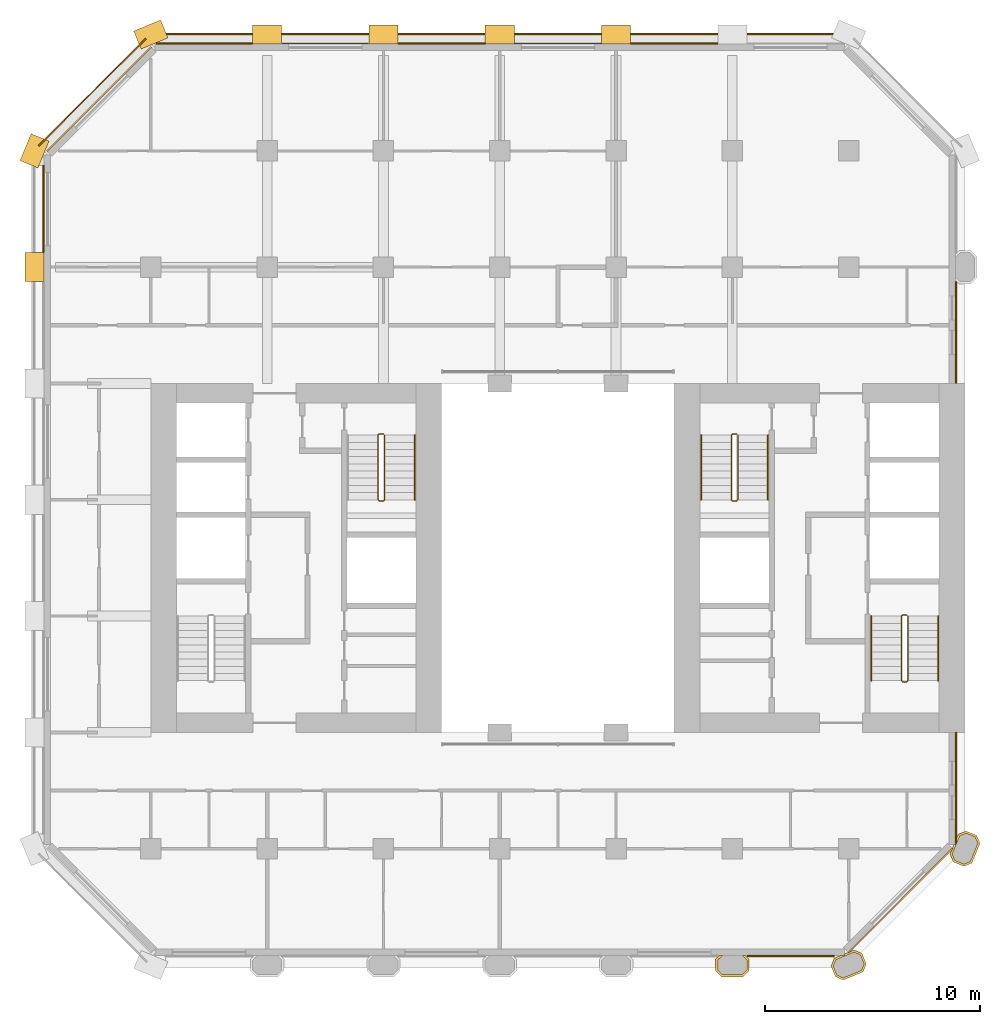
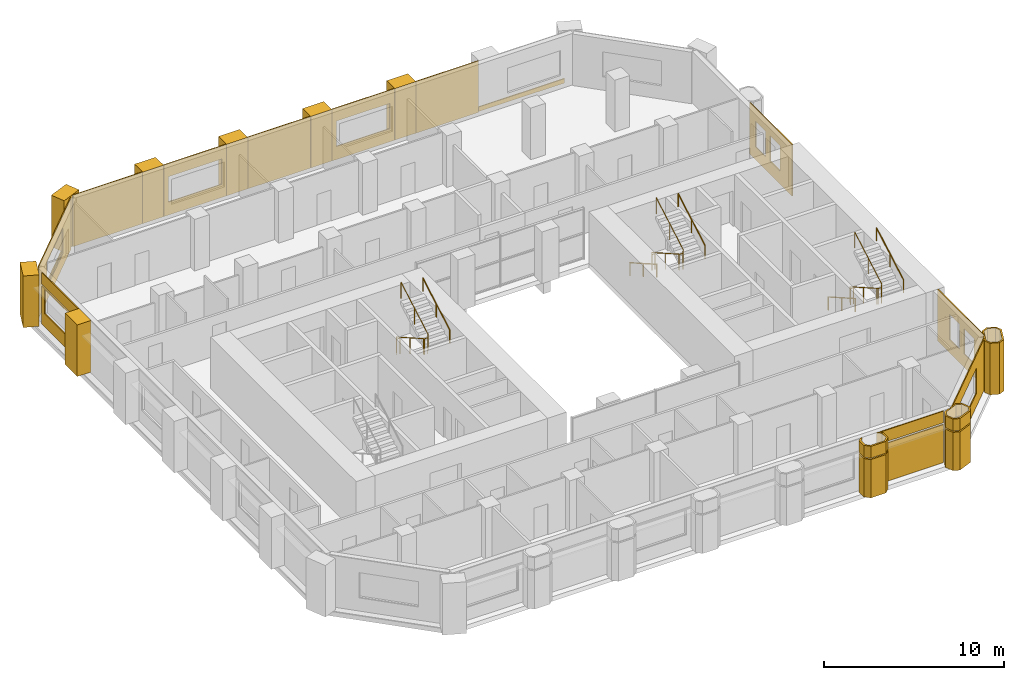
# One storey, part 12 of 13: 27 coverings, 8 railings.
"""IFC4 building model written with IfcOpenShell, lengths in metres."""

from ifc_helpers import new_model, si_unit, direction, frame, frame_2d, origin, origin_2d, place, context, subcontext, project, spatial, polyline, rectangle, circle, outline, extrude, material, layer, layer_set, type_object, element, save


model = new_model("IFC4")

# Units and contexts
model_context = context("Model", 3, precision=1e-05, world=origin(), true_north=direction((0.0, 1.0)))
body_context = subcontext(model_context, "Body", "Model", "MODEL_VIEW")
ifc_project = project(units=[si_unit("LENGTHUNIT", "METRE"), si_unit("AREAUNIT", "SQUARE_METRE"), si_unit("VOLUMEUNIT", "CUBIC_METRE"), si_unit("PLANEANGLEUNIT", "RADIAN"), si_unit("MASSUNIT", "GRAM", prefix="KILO")], contexts=[model_context])

# Site, building, storey
site_placement = place(None, origin())
site = spatial("IfcSite", under=ifc_project, at=site_placement, CompositionType="ELEMENT")
building_placement = place(site_placement, origin())
building = spatial("IfcBuilding", under=site, at=building_placement, Name="Tabaq Tower and Sports Hall", CompositionType="ELEMENT")
storey_placement = place(building_placement, frame((0.0, 0.0, 110.60009765625)))
storey = spatial("IfcBuildingStorey", under=building, at=storey_placement, Name="L26", CompositionType="ELEMENT", Elevation=110.60009765625)

# Coverings
ifc_material_1 = material(Name="Precast concrete C60/75", Category="concrete")
ifc_layer_1 = layer(ifc_material_1, 0.10009765625)
ifc_layer_set_1 = layer_set([ifc_layer_1], Name="Column cladding 100")
covering_type_1 = type_object("IfcCoveringType", Name="Column cladding 100", PredefinedType="CLADDING", material=ifc_layer_set_1)
covering_1_placement = place(storey_placement, origin())
element("IfcCovering", 1, at=covering_1_placement, inside=storey, type_object=covering_type_1, Name="Column cladding L26 PC-7B-O3", PredefinedType="CLADDING", context=body_context, shape_type="SweptSolid", body=[
    extrude(outline(polyline([(31.625244140625, 5.666259765625), (31.80859375, 5.849609375), (31.94921875, 5.849609375), (31.724609375, 5.625244140625), (31.724609375, 5.1748046875), (31.949951171875, 4.94970703125), (32.85009765625, 4.94970703125), (33.0751953125, 5.1748046875), (33.0751953125, 5.625244140625), (32.850830078125, 5.849609375), (32.9912109375, 5.849609375), (33.1748046875, 5.666259765625), (33.1748046875, 5.1337890625), (32.891357421875, 4.850341796875), (31.90869140625, 4.850341796875), (31.625244140625, 5.1337890625), (31.625244140625, 5.666259765625)])), origin(), (0.0, 0.0, 1.0), 2.599853515625),
])
covering_2_placement = place(storey_placement, frame((0.0, 0.0, 2.699951171875)))
element("IfcCovering", 2, at=covering_2_placement, inside=storey, type_object=covering_type_1, Name="Column cladding L26 PC-7B-O3 2", PredefinedType="CLADDING", context=body_context, shape_type="SweptSolid", body=[
    extrude(outline(polyline([(31.625244140625, 5.666259765625), (31.80859375, 5.849609375), (31.94921875, 5.849609375), (31.724609375, 5.625244140625), (31.724609375, 5.1748046875), (31.949951171875, 4.94970703125), (32.85009765625, 4.94970703125), (33.0751953125, 5.1748046875), (33.0751953125, 5.625244140625), (32.850830078125, 5.849609375), (32.9912109375, 5.849609375), (33.1748046875, 5.666259765625), (33.1748046875, 5.1337890625), (32.891357421875, 4.850341796875), (31.90869140625, 4.850341796875), (31.625244140625, 5.1337890625), (31.625244140625, 5.666259765625)])), origin(), (0.0, 0.0, 1.0), 0.800048828125),
])
covering_3_placement = place(storey_placement, origin())
element("IfcCovering", 3, at=covering_3_placement, inside=storey, type_object=covering_type_1, Name="Column cladding L26 PC-8B-O3", PredefinedType="CLADDING", context=body_context, shape_type="SweptSolid", body=[
    extrude(outline(polyline([(36.982421875, 5.349609375), (37.1357421875, 5.7197265625), (37.44921875, 5.849609375), (37.614013671875, 5.849609375), (37.614013671875, 5.91796875), (37.767578125, 5.9814453125), (37.799072265625, 5.9501953125), (37.875, 6.026123046875), (38.04345703125, 6.095947265625), (38.413818359375, 5.9423828125), (38.61767578125, 5.450439453125), (38.46435546875, 5.080078125), (37.556396484375, 4.7041015625), (37.186279296875, 4.857421875), (36.982421875, 5.349609375)]), holes=[polyline([(38.510009765625, 5.450439453125), (38.337646484375, 5.866455078125), (38.04345703125, 5.98828125), (37.2119140625, 5.643798828125), (37.08984375, 5.349609375), (37.26220703125, 4.93359375), (37.556396484375, 4.811767578125), (38.38818359375, 5.15625), (38.510009765625, 5.450439453125)])]), origin(), (0.0, 0.0, 1.0), 2.599853515625),
])
covering_4_placement = place(storey_placement, frame((0.0, 0.0, 2.699951171875)))
element("IfcCovering", 4, at=covering_4_placement, inside=storey, type_object=covering_type_1, Name="Column cladding L26 PC-8B-O3 2", PredefinedType="CLADDING", context=body_context, shape_type="SweptSolid", body=[
    extrude(outline(polyline([(36.982421875, 5.349609375), (37.1357421875, 5.7197265625), (37.44921875, 5.849609375), (37.614013671875, 5.849609375), (37.614013671875, 5.91796875), (37.767578125, 5.9814453125), (37.799072265625, 5.9501953125), (37.875, 6.026123046875), (38.04345703125, 6.095947265625), (38.413818359375, 5.9423828125), (38.61767578125, 5.450439453125), (38.46435546875, 5.080078125), (37.556396484375, 4.7041015625), (37.186279296875, 4.857421875), (36.982421875, 5.349609375)]), holes=[polyline([(38.510009765625, 5.450439453125), (38.337646484375, 5.866455078125), (38.04345703125, 5.98828125), (37.2119140625, 5.643798828125), (37.08984375, 5.349609375), (37.26220703125, 4.93359375), (37.556396484375, 4.811767578125), (38.38818359375, 5.15625), (38.510009765625, 5.450439453125)])]), origin(), (0.0, 0.0, 1.0), 0.800048828125),
])
covering_5_placement = place(storey_placement, origin())
element("IfcCovering", 5, at=covering_5_placement, inside=storey, type_object=covering_type_1, Name="Column cladding L26 PC-9C-O3", PredefinedType="CLADDING", context=body_context, shape_type="SweptSolid", body=[
    extrude(outline(polyline([(42.657470703125, 10.186279296875), (42.504150390625, 10.556396484375), (42.573974609375, 10.72509765625), (42.64990234375, 10.801025390625), (42.618408203125, 10.83251953125), (42.68212890625, 10.986083984375), (42.750244140625, 10.986083984375), (42.750244140625, 11.04296875), (42.810302734375, 11.04296875), (42.810302734375, 11.295654296875), (42.880126953125, 11.46435546875), (43.25048828125, 11.61767578125), (43.742431640625, 11.413818359375), (43.895751953125, 11.04345703125), (43.519775390625, 10.1357421875), (43.149658203125, 9.982421875), (42.657470703125, 10.186279296875)]), holes=[polyline([(43.66650390625, 11.337646484375), (43.25048828125, 11.510009765625), (42.956298828125, 11.38818359375), (42.61181640625, 10.556396484375), (42.733642578125, 10.26220703125), (43.149658203125, 10.08984375), (43.44384765625, 10.2119140625), (43.788330078125, 11.04345703125), (43.66650390625, 11.337646484375)])]), origin(), (0.0, 0.0, 1.0), 3.5),
])
ifc_material_2 = material(Name="Precast concrete C60/75", Category="concrete")
ifc_layer_2 = layer(ifc_material_2, 0.06005859375)
ifc_layer_set_2 = layer_set([ifc_layer_2], Name="Edge beam cladding 60")
covering_type_2 = type_object("IfcCoveringType", Name="Edge beam cladding 60", PredefinedType="CLADDING", material=ifc_layer_set_2)
covering_6_placement = place(storey_placement, frame((37.50146484375, 48.6298828125, -0.300048828125), z_axis=(0.0, 0.0, 1.0), x_axis=(-1.0, 0.0, 0.0)))
element("IfcCovering", 6, at=covering_6_placement, inside=storey, type_object=covering_type_2, Name="Edge beam cladding L26 2", PredefinedType="CLADDING", context=body_context, shape_type="SweptSolid", body=[
    extrude(rectangle(XDim=31.802978515625, YDim=0.06005859375, at=frame_2d((15.9013671875, 0.0))), origin(), (0.0, 0.0, 1.0), 0.300048828125),
])
covering_7_placement = place(storey_placement, frame((5.167724609375, 48.41015625, -0.300048828125), z_axis=(0.0, 0.0, 1.0), x_axis=(-0.707106781187, -0.707106781187, 0.0)))
element("IfcCovering", 7, at=covering_7_placement, inside=storey, type_object=covering_type_2, Name="Edge beam cladding L26 3", PredefinedType="CLADDING", context=body_context, shape_type="SweptSolid", body=[
    extrude(rectangle(XDim=7.03955078125, YDim=0.06005859375, at=frame_2d((3.519775390625, 0.0))), origin(), (0.0, 0.0, 1.0), 0.300048828125),
])
ifc_material_3 = material(Name="White precast concrete C60/75", Category="concrete")
covering_type_3 = type_object("IfcCoveringType", Name="Pier cladding hung 1350x900", PredefinedType="CLADDING", material=ifc_material_3)
for number, where, z_axis, x_axis, name in (
    (8, (0.0, 38.47509765625, 0.0), (0.0, 0.0, 1.0), (0.0, -1.0, 0.0), "Hung pier cladding 0/7"),
    (9, (0.25830078125, 43.82373046875, 0.0), (0.0, 0.0, 1.0), (-0.382649923473, -0.923893411637, 0.0), "Hung pier cladding 0/8"),
    (10, (6.023681640625, 48.8583984375, 0.0), (0.0, 0.0, 1.0), (-0.923893411637, -0.382649923473, 0.0), "Hung pier cladding 1/9"),
    (11, (11.47509765625, 48.60009765625, 0.0), (0.0, 0.0, 1.0), (-1.0, 0.0, 0.0), "Hung pier cladding 2/9"),
    (12, (16.875, 48.60009765625, 0.0), (0.0, 0.0, 1.0), (-1.0, 0.0, 0.0), "Hung pier cladding 3/9"),
):
    element("IfcCovering", number, at=place(storey_placement, frame(where, z_axis=z_axis, x_axis=x_axis)), inside=storey, type_object=covering_type_3, Name=name, PredefinedType="CLADDING", context=body_context, shape_type="SweptSolid", body=[
        extrude(rectangle(XDim=1.35009765625, YDim=0.89990234375, at=frame_2d((0.675048828125, 0.0))), origin(), (0.0, 0.0, 1.0), 3.5),
    ])
covering_8_placement = place(storey_placement, frame((22.27490234375, 48.60009765625, 0.0), z_axis=(0.0, 0.0, 1.0), x_axis=(-1.0, 0.0, 0.0)))
element("IfcCovering", 13, at=covering_8_placement, inside=storey, type_object=covering_type_3, Name="Hung pier cladding 4/9", PredefinedType="CLADDING", context=body_context, shape_type="SweptSolid", body=[
    extrude(rectangle(XDim=1.349853515625, YDim=0.89990234375, at=frame_2d((0.6748046875, 0.0))), origin(), (0.0, 0.0, 1.0), 3.5),
])
covering_9_placement = place(storey_placement, frame((27.675048828125, 48.60009765625, 0.0), z_axis=(0.0, 0.0, 1.0), x_axis=(-1.0, 0.0, 0.0)))
element("IfcCovering", 14, at=covering_9_placement, inside=storey, type_object=covering_type_3, Name="Hung pier cladding 5/9", PredefinedType="CLADDING", context=body_context, shape_type="SweptSolid", body=[
    extrude(rectangle(XDim=1.35009765625, YDim=0.89990234375, at=frame_2d((0.675048828125, 0.0))), origin(), (0.0, 0.0, 1.0), 3.5),
])

# Railings
ifc_material_4 = material(Name="Stainless steel", Category="steel")
railing_type_1 = type_object("IfcRailingType", Name="Stair guard", PredefinedType="GUARDRAIL", material=ifc_material_4)
railing_1_placement = place(storey_placement, frame((16.199951171875, 30.050048828125, 0.0)))
element("IfcRailing", 15, at=railing_1_placement, inside=storey, type_object=railing_type_1, Name="L26 ST2 stair guard 1", PredefinedType="GUARDRAIL", context=body_context, shape_type="SweptSolid", body=[
    extrude(circle(Radius=0.02392578125, at=origin_2d()), frame((0.0, 0.0, 1.076171875), z_axis=(-1.0, 0.0, 0.0), x_axis=(0.0, -1.0, 0.0)), (0.0, 0.0, 1.0), 0.199951171875),
    extrude(circle(Radius=0.02392578125, at=origin_2d()), frame((-0.199951171875, 0.0, 1.076171875), z_axis=(-0.246910188598, -0.246910188598, 0.937054276727), x_axis=(0.707106781187, -0.707106781187, 0.0)), (0.0, 0.0, 1.0), 0.20263671875),
    extrude(circle(Radius=0.02392578125, at=origin_2d()), frame((-0.25, -0.050048828125, 1.26611328125), z_axis=(0.0, -0.868782136927, 0.495194505781), x_axis=(1.0, 0.0, 0.0)), (0.0, 0.0, 1.0), 3.453125),
    extrude(circle(Radius=0.02392578125, at=origin_2d()), frame((-0.25, -3.050048828125, 2.97607421875), z_axis=(0.707106781187, -0.707106781187, 0.0), x_axis=(0.707106781187, 0.707106781187, 0.0)), (0.0, 0.0, 1.0), 0.07080078125),
    extrude(circle(Radius=0.02392578125, at=origin_2d()), frame((-0.199951171875, -3.10009765625, 2.97607421875), z_axis=(1.0, 0.0, 0.0), x_axis=(0.0, 1.0, 0.0)), (0.0, 0.0, 1.0), 0.199951171875),
    extrude(circle(Radius=0.02392578125, at=origin_2d()), frame((0.0, -3.10009765625, 2.97607421875), z_axis=(0.246910188598, 0.246910188598, 0.937054276727), x_axis=(-0.707106781187, 0.707106781187, 0.0)), (0.0, 0.0, 1.0), 0.20263671875),
    extrude(circle(Radius=0.02392578125, at=origin_2d()), frame((0.050048828125, -3.050048828125, 3.166015625), z_axis=(0.0, 0.868782136927, 0.495194505781), x_axis=(-1.0, 0.0, 0.0)), (0.0, 0.0, 1.0), 3.453125),
    extrude(circle(Radius=0.02099609375, at=origin_2d()), origin(), (0.0, 0.0, 1.0), 1.052001953125),
    extrude(circle(Radius=0.02099609375, at=origin_2d()), frame((-0.199951171875, 0.0, 0.0)), (0.0, 0.0, 1.0), 1.052001953125),
    extrude(circle(Radius=0.02099609375, at=origin_2d()), frame((-0.25, -0.050048828125, 0.18994140625)), (0.0, 0.0, 1.0), 1.052001953125),
    extrude(circle(Radius=0.02099609375, at=origin_2d()), frame((-0.25, -1.550048828125, 1.044921875)), (0.0, 0.0, 1.0), 1.052001953125),
    extrude(circle(Radius=0.02099609375, at=origin_2d()), frame((-0.25, -3.050048828125, 1.89990234375)), (0.0, 0.0, 1.0), 1.052001953125),
    extrude(circle(Radius=0.02099609375, at=origin_2d()), frame((-0.199951171875, -3.10009765625, 1.89990234375)), (0.0, 0.0, 1.0), 1.052001953125),
    extrude(circle(Radius=0.02099609375, at=origin_2d()), frame((0.0, -3.10009765625, 1.89990234375)), (0.0, 0.0, 1.0), 1.052001953125),
    extrude(circle(Radius=0.02099609375, at=origin_2d()), frame((0.050048828125, -3.050048828125, 2.08984375)), (0.0, 0.0, 1.0), 1.052001953125),
    extrude(circle(Radius=0.02099609375, at=origin_2d()), frame((0.050048828125, -1.550048828125, 2.94482421875)), (0.0, 0.0, 1.0), 1.052001953125),
    extrude(circle(Radius=0.02099609375, at=origin_2d()), frame((0.050048828125, -0.050048828125, 3.7998046875)), (0.0, 0.0, 1.0), 1.052001953125),
])
railing_2_placement = place(storey_placement, frame((40.5, 21.64990234375, 0.0)))
element("IfcRailing", 16, at=railing_2_placement, inside=storey, type_object=railing_type_1, Name="L26 ST3 stair guard 1", PredefinedType="GUARDRAIL", context=body_context, shape_type="SweptSolid", body=[
    extrude(circle(Radius=0.02392578125, at=origin_2d()), frame((0.0, 0.0, 1.076171875), z_axis=(-1.0, 0.0, 0.0), x_axis=(0.0, -1.0, 0.0)), (0.0, 0.0, 1.0), 0.199951171875),
    extrude(circle(Radius=0.02392578125, at=origin_2d()), frame((-0.199951171875, 0.0, 1.076171875), z_axis=(-0.246983470365, -0.245778672949, 0.937332389972), x_axis=(0.705375805398, -0.708833529934, 0.0)), (0.0, 0.0, 1.0), 0.20263671875),
    extrude(circle(Radius=0.02392578125, at=origin_2d()), frame((-0.25, -0.0498046875, 1.26611328125), z_axis=(0.0, -0.868782136927, 0.495194505781), x_axis=(1.0, 0.0, 0.0)), (0.0, 0.0, 1.0), 3.453125),
    extrude(circle(Radius=0.02392578125, at=origin_2d()), frame((-0.25, -3.0498046875, 2.97607421875), z_axis=(0.707106781187, -0.707106781187, 0.0), x_axis=(0.707106781187, 0.707106781187, 0.0)), (0.0, 0.0, 1.0), 0.07080078125),
    extrude(circle(Radius=0.02392578125, at=origin_2d()), frame((-0.199951171875, -3.099853515625, 2.97607421875), z_axis=(1.0, 0.0, 0.0), x_axis=(0.0, 1.0, 0.0)), (0.0, 0.0, 1.0), 0.199951171875),
    extrude(circle(Radius=0.02392578125, at=origin_2d()), frame((0.0, -3.099853515625, 2.97607421875), z_axis=(0.246910188598, 0.246910188598, 0.937054276727), x_axis=(-0.707106781187, 0.707106781187, 0.0)), (0.0, 0.0, 1.0), 0.20263671875),
    extrude(circle(Radius=0.02392578125, at=origin_2d()), frame((0.050048828125, -3.0498046875, 3.166015625), z_axis=(0.0, 0.868782136927, 0.495194505781), x_axis=(-1.0, 0.0, 0.0)), (0.0, 0.0, 1.0), 3.453125),
    extrude(circle(Radius=0.02099609375, at=origin_2d()), origin(), (0.0, 0.0, 1.0), 1.052001953125),
    extrude(circle(Radius=0.02099609375, at=origin_2d()), frame((-0.199951171875, 0.0, 0.0)), (0.0, 0.0, 1.0), 1.052001953125),
    extrude(circle(Radius=0.02099609375, at=origin_2d()), frame((-0.25, -0.0498046875, 0.18994140625)), (0.0, 0.0, 1.0), 1.052001953125),
    extrude(circle(Radius=0.02099609375, at=origin_2d()), frame((-0.25, -1.5498046875, 1.044921875)), (0.0, 0.0, 1.0), 1.052001953125),
    extrude(circle(Radius=0.02099609375, at=origin_2d()), frame((-0.25, -3.0498046875, 1.89990234375)), (0.0, 0.0, 1.0), 1.052001953125),
    extrude(circle(Radius=0.02099609375, at=origin_2d()), frame((-0.199951171875, -3.099853515625, 1.89990234375)), (0.0, 0.0, 1.0), 1.052001953125),
    extrude(circle(Radius=0.02099609375, at=origin_2d()), frame((0.0, -3.099853515625, 1.89990234375)), (0.0, 0.0, 1.0), 1.052001953125),
    extrude(circle(Radius=0.02099609375, at=origin_2d()), frame((0.050048828125, -3.0498046875, 2.08984375)), (0.0, 0.0, 1.0), 1.052001953125),
    extrude(circle(Radius=0.02099609375, at=origin_2d()), frame((0.050048828125, -1.5498046875, 2.94482421875)), (0.0, 0.0, 1.0), 1.052001953125),
    extrude(circle(Radius=0.02099609375, at=origin_2d()), frame((0.050048828125, -0.0498046875, 3.7998046875)), (0.0, 0.0, 1.0), 1.052001953125),
])
railing_3_placement = place(storey_placement, frame((32.60009765625, 30.050048828125, 0.0)))
element("IfcRailing", 17, at=railing_3_placement, inside=storey, type_object=railing_type_1, Name="L26 ST4 stair guard 1", PredefinedType="GUARDRAIL", context=body_context, shape_type="SweptSolid", body=[
    extrude(circle(Radius=0.02392578125, at=origin_2d()), frame((0.0, 0.0, 1.076171875), z_axis=(-1.0, 0.0, 0.0), x_axis=(0.0, -1.0, 0.0)), (0.0, 0.0, 1.0), 0.2001953125),
    extrude(circle(Radius=0.02392578125, at=origin_2d()), frame((-0.2001953125, 0.0, 1.076171875), z_axis=(-0.245778672949, -0.246983470365, 0.937332389972), x_axis=(0.708833529934, -0.705375805398, 0.0)), (0.0, 0.0, 1.0), 0.20263671875),
    extrude(circle(Radius=0.02392578125, at=origin_2d()), frame((-0.25, -0.050048828125, 1.26611328125), z_axis=(0.0, -0.868782136927, 0.495194505781), x_axis=(1.0, 0.0, 0.0)), (0.0, 0.0, 1.0), 3.453125),
    extrude(circle(Radius=0.02392578125, at=origin_2d()), frame((-0.25, -3.050048828125, 2.97607421875), z_axis=(0.705375805398, -0.708833529934, 0.0), x_axis=(0.708833529934, 0.705375805398, 0.0)), (0.0, 0.0, 1.0), 0.070556640625),
    extrude(circle(Radius=0.02392578125, at=origin_2d()), frame((-0.2001953125, -3.10009765625, 2.97607421875), z_axis=(1.0, 0.0, 0.0), x_axis=(0.0, 1.0, 0.0)), (0.0, 0.0, 1.0), 0.2001953125),
    extrude(circle(Radius=0.02392578125, at=origin_2d()), frame((0.0, -3.10009765625, 2.97607421875), z_axis=(0.245778672949, 0.246983470365, 0.937332389972), x_axis=(-0.708833529934, 0.705375805398, 0.0)), (0.0, 0.0, 1.0), 0.20263671875),
    extrude(circle(Radius=0.02392578125, at=origin_2d()), frame((0.0498046875, -3.050048828125, 3.166015625), z_axis=(0.0, 0.868782136927, 0.495194505781), x_axis=(-1.0, 0.0, 0.0)), (0.0, 0.0, 1.0), 3.453125),
    extrude(circle(Radius=0.02099609375, at=origin_2d()), origin(), (0.0, 0.0, 1.0), 1.052001953125),
    extrude(circle(Radius=0.02099609375, at=origin_2d()), frame((-0.2001953125, 0.0, 0.0)), (0.0, 0.0, 1.0), 1.052001953125),
    extrude(circle(Radius=0.02099609375, at=origin_2d()), frame((-0.25, -0.050048828125, 0.18994140625)), (0.0, 0.0, 1.0), 1.052001953125),
    extrude(circle(Radius=0.02099609375, at=origin_2d()), frame((-0.25, -1.550048828125, 1.044921875)), (0.0, 0.0, 1.0), 1.052001953125),
    extrude(circle(Radius=0.02099609375, at=origin_2d()), frame((-0.25, -3.050048828125, 1.89990234375)), (0.0, 0.0, 1.0), 1.052001953125),
    extrude(circle(Radius=0.02099609375, at=origin_2d()), frame((-0.2001953125, -3.10009765625, 1.89990234375)), (0.0, 0.0, 1.0), 1.052001953125),
    extrude(circle(Radius=0.02099609375, at=origin_2d()), frame((0.0, -3.10009765625, 1.89990234375)), (0.0, 0.0, 1.0), 1.052001953125),
    extrude(circle(Radius=0.02099609375, at=origin_2d()), frame((0.0498046875, -3.050048828125, 2.08984375)), (0.0, 0.0, 1.0), 1.052001953125),
    extrude(circle(Radius=0.02099609375, at=origin_2d()), frame((0.0498046875, -1.550048828125, 2.94482421875)), (0.0, 0.0, 1.0), 1.052001953125),
    extrude(circle(Radius=0.02099609375, at=origin_2d()), frame((0.0498046875, -0.050048828125, 3.7998046875)), (0.0, 0.0, 1.0), 1.052001953125),
])
ifc_material_5 = material(Name="Stainless steel", Category="steel")
railing_type_2 = type_object("IfcRailingType", Name="Stair handrail", PredefinedType="HANDRAIL", material=ifc_material_5)
railing_4_placement = place(storey_placement, frame((17.64990234375, 27.0, 2.08984375)))
element("IfcRailing", 18, at=railing_4_placement, inside=storey, type_object=railing_type_2, Name="L26 ST2 stair handrail 2", PredefinedType="HANDRAIL", context=body_context, shape_type="SweptSolid", body=[
    extrude(circle(Radius=0.02392578125, at=origin_2d()), frame((0.0, 0.0, 0.8759765625), z_axis=(0.0, 0.868782136927, 0.495194505781), x_axis=(-1.0, 0.0, 0.0)), (0.0, 0.0, 1.0), 3.453125),
    extrude(circle(Radius=0.02099609375, at=origin_2d()), origin(), (0.0, 0.0, 1.0), 0.851806640625),
    extrude(circle(Radius=0.02099609375, at=origin_2d()), frame((0.0, 1.5, 0.85498046875)), (0.0, 0.0, 1.0), 0.851806640625),
    extrude(circle(Radius=0.02099609375, at=origin_2d()), frame((0.0, 3.0, 1.7099609375)), (0.0, 0.0, 1.0), 0.851806640625),
])
railing_5_placement = place(storey_placement, frame((38.85009765625, 21.60009765625, 0.18994140625)))
element("IfcRailing", 19, at=railing_5_placement, inside=storey, type_object=railing_type_2, Name="L26 ST3 stair handrail 1", PredefinedType="HANDRAIL", context=body_context, shape_type="SweptSolid", body=[
    extrude(circle(Radius=0.02392578125, at=origin_2d()), frame((0.0, 0.0, 0.8759765625), z_axis=(0.0, -0.868782136927, 0.495194505781), x_axis=(1.0, 0.0, 0.0)), (0.0, 0.0, 1.0), 3.453125),
    extrude(circle(Radius=0.02099609375, at=origin_2d()), origin(), (0.0, 0.0, 1.0), 0.851806640625),
    extrude(circle(Radius=0.02099609375, at=origin_2d()), frame((0.0, -1.5, 0.85498046875)), (0.0, 0.0, 1.0), 0.851806640625),
    extrude(circle(Radius=0.02099609375, at=origin_2d()), frame((0.0, -3.0, 1.7099609375)), (0.0, 0.0, 1.0), 0.851806640625),
])
railing_6_placement = place(storey_placement, frame((41.949951171875, 18.60009765625, 2.08984375)))
element("IfcRailing", 20, at=railing_6_placement, inside=storey, type_object=railing_type_2, Name="L26 ST3 stair handrail 2", PredefinedType="HANDRAIL", context=body_context, shape_type="SweptSolid", body=[
    extrude(circle(Radius=0.02392578125, at=origin_2d()), frame((0.0, 0.0, 0.8759765625), z_axis=(0.0, 0.868782136927, 0.495194505781), x_axis=(-1.0, 0.0, 0.0)), (0.0, 0.0, 1.0), 3.453125),
    extrude(circle(Radius=0.02099609375, at=origin_2d()), origin(), (0.0, 0.0, 1.0), 0.851806640625),
    extrude(circle(Radius=0.02099609375, at=origin_2d()), frame((0.0, 1.5, 0.85498046875)), (0.0, 0.0, 1.0), 0.851806640625),
    extrude(circle(Radius=0.02099609375, at=origin_2d()), frame((0.0, 3.0, 1.7099609375)), (0.0, 0.0, 1.0), 0.851806640625),
])
railing_7_placement = place(storey_placement, frame((30.949951171875, 30.0, 0.18994140625)))
element("IfcRailing", 21, at=railing_7_placement, inside=storey, type_object=railing_type_2, Name="L26 ST4 stair handrail 1", PredefinedType="HANDRAIL", context=body_context, shape_type="SweptSolid", body=[
    extrude(circle(Radius=0.02392578125, at=origin_2d()), frame((0.0, 0.0, 0.8759765625), z_axis=(0.0, -0.868782136927, 0.495194505781), x_axis=(1.0, 0.0, 0.0)), (0.0, 0.0, 1.0), 3.453125),
    extrude(circle(Radius=0.02099609375, at=origin_2d()), origin(), (0.0, 0.0, 1.0), 0.851806640625),
    extrude(circle(Radius=0.02099609375, at=origin_2d()), frame((0.0, -1.5, 0.85498046875)), (0.0, 0.0, 1.0), 0.851806640625),
    extrude(circle(Radius=0.02099609375, at=origin_2d()), frame((0.0, -3.0, 1.7099609375)), (0.0, 0.0, 1.0), 0.851806640625),
])
railing_8_placement = place(storey_placement, frame((34.050048828125, 27.0, 2.08984375)))
element("IfcRailing", 22, at=railing_8_placement, inside=storey, type_object=railing_type_2, Name="L26 ST4 stair handrail 2", PredefinedType="HANDRAIL", context=body_context, shape_type="SweptSolid", body=[
    extrude(circle(Radius=0.02392578125, at=origin_2d()), frame((0.0, 0.0, 0.8759765625), z_axis=(0.0, 0.868782136927, 0.495194505781), x_axis=(-1.0, 0.0, 0.0)), (0.0, 0.0, 1.0), 3.453125),
    extrude(circle(Radius=0.02099609375, at=origin_2d()), origin(), (0.0, 0.0, 1.0), 0.851806640625),
    extrude(circle(Radius=0.02099609375, at=origin_2d()), frame((0.0, 1.5, 0.85498046875)), (0.0, 0.0, 1.0), 0.851806640625),
    extrude(circle(Radius=0.02099609375, at=origin_2d()), frame((0.0, 3.0, 1.7099609375)), (0.0, 0.0, 1.0), 0.851806640625),
])

# Coverings
ifc_material_6 = material(Name="Precast concrete C60/75", Category="concrete")
ifc_layer_3 = layer(ifc_material_6, 0.06005859375)
ifc_layer_set_3 = layer_set([ifc_layer_3], Name="White precast cladding panel 60 C60/75")
covering_type_4 = type_object("IfcCoveringType", Name="White precast cladding panel 60 C60/75", PredefinedType="CLADDING", material=ifc_layer_set_3)
covering_10_placement = place(storey_placement, frame((33.0849609375, 5.820068359375, 0.0), z_axis=(0.0, 0.0, 1.0), x_axis=(1.0, 0.0, 0.0)))
element("IfcCovering", 23, at=covering_10_placement, inside=storey, type_object=covering_type_4, Name="White precast cladding panel L26 wall00 11", PredefinedType="CLADDING", context=body_context, shape_type="SweptSolid", body=[
    extrude(rectangle(XDim=4.050048828125, YDim=0.06005859375, at=frame_2d((2.02490234375, 0.0))), origin(), (0.0, 0.0, 1.0), 2.58984375),
])
covering_11_placement = place(storey_placement, frame((33.0849609375, 5.820068359375, 2.7099609375), z_axis=(0.0, 0.0, 1.0), x_axis=(1.0, 0.0, 0.0)))
element("IfcCovering", 24, at=covering_11_placement, inside=storey, type_object=covering_type_4, Name="White precast cladding panel L26 wall00 12", PredefinedType="CLADDING", context=body_context, shape_type="SweptSolid", body=[
    extrude(rectangle(XDim=4.050048828125, YDim=0.06005859375, at=frame_2d((2.02490234375, 0.0))), origin(), (0.0, 0.0, 1.0), 0.7900390625),
])
covering_12_placement = place(storey_placement, frame((37.77783203125, 5.9716796875, 0.0), z_axis=(0.0, 0.0, 1.0), x_axis=(0.707088985397, 0.707124576528, 0.0)))
element("IfcCovering", 25, at=covering_12_placement, inside=storey, type_object=covering_type_4, Name="White precast cladding panel L26 wall01", PredefinedType="CLADDING", context=body_context, shape_type="SweptSolid", body=[
    extrude(outline(polyline([(0.0, 0.0), (6.859619140625, 0.0), (6.859619140625, 3.5), (0.0, 3.5), (0.0, 0.0)]), holes=[polyline([(1.7197265625, 0.889892578125), (1.7197265625, 2.60986328125), (5.139892578125, 2.60986328125), (5.139892578125, 0.889892578125), (1.7197265625, 0.889892578125)])]), frame((0.0, 0.030029296875, 0.0), z_axis=(0.0, -1.0, 0.0), x_axis=(1.0, 0.0, 0.0)), (0.0, 0.0, 1.0), 0.06005859375),
])
covering_13_placement = place(storey_placement, frame((42.780029296875, 11.043212890625, 0.0), z_axis=(0.0, 0.0, 1.0), x_axis=(0.0, 1.0, 0.0)))
element("IfcCovering", 26, at=covering_13_placement, inside=storey, type_object=covering_type_4, Name="White precast cladding panel L26 wall02", PredefinedType="CLADDING", context=body_context, shape_type="SweptSolid", body=[
    extrude(outline(polyline([(0.0, 0.0), (5.15673828125, 0.0), (5.15673828125, 3.5), (0.0, 3.5), (0.0, 0.0)]), holes=[polyline([(1.096923828125, 2.60986328125), (2.216796875, 2.60986328125), (2.216796875, 0.889892578125), (1.096923828125, 0.889892578125), (1.096923828125, 2.60986328125)]), polyline([(2.69677734375, 2.60986328125), (3.81689453125, 2.60986328125), (3.81689453125, 0.889892578125), (2.69677734375, 0.889892578125), (2.69677734375, 2.60986328125)])]), frame((0.0, 0.030029296875, 0.0), z_axis=(0.0, -1.0, 0.0), x_axis=(1.0, 0.0, 0.0)), (0.0, 0.0, 1.0), 0.06005859375),
])
covering_14_placement = place(storey_placement, frame((42.780029296875, 32.39990234375, 0.0), z_axis=(0.0, 0.0, 1.0), x_axis=(0.0, 1.0, 0.0)))
element("IfcCovering", 27, at=covering_14_placement, inside=storey, type_object=covering_type_4, Name="White precast cladding panel L26 wall02-1", PredefinedType="CLADDING", context=body_context, shape_type="SweptSolid", body=[
    extrude(outline(polyline([(0.0, 0.0), (4.715087890625, 0.0), (4.715087890625, 3.5), (0.0, 3.5), (0.0, 0.0)]), holes=[polyline([(1.340087890625, 2.60986328125), (2.4599609375, 2.60986328125), (2.4599609375, 0.889892578125), (1.340087890625, 0.889892578125), (1.340087890625, 2.60986328125)]), polyline([(2.93994140625, 2.60986328125), (4.06005859375, 2.60986328125), (4.06005859375, 0.889892578125), (2.93994140625, 0.889892578125), (2.93994140625, 2.60986328125)])]), frame((0.0, 0.030029296875, 0.0), z_axis=(0.0, -1.0, 0.0), x_axis=(1.0, 0.0, 0.0)), (0.0, 0.0, 1.0), 0.06005859375),
])
covering_15_placement = place(storey_placement, frame((31.715087890625, 48.179931640625, 0.0), z_axis=(0.0, 0.0, 1.0), x_axis=(-1.0, 0.0, 0.0)))
element("IfcCovering", 28, at=covering_15_placement, inside=storey, type_object=covering_type_4, Name="White precast cladding panel L26 wall04 2", PredefinedType="CLADDING", context=body_context, shape_type="SweptSolid", body=[
    extrude(rectangle(XDim=4.030029296875, YDim=0.06005859375, at=frame_2d((2.01513671875, 0.0))), origin(), (0.0, 0.0, 1.0), 3.5),
])
covering_16_placement = place(storey_placement, frame((26.31494140625, 48.179931640625, 0.0), z_axis=(0.0, 0.0, 1.0), x_axis=(-1.0, 0.0, 0.0)))
element("IfcCovering", 29, at=covering_16_placement, inside=storey, type_object=covering_type_4, Name="White precast cladding panel L26 wall04 3", PredefinedType="CLADDING", context=body_context, shape_type="SweptSolid", body=[
    extrude(outline(polyline([(0.0, 0.0), (4.030029296875, 0.0), (4.030029296875, 3.5), (0.0, 3.5), (0.0, 0.0)]), holes=[polyline([(0.304931640625, 0.889892578125), (0.304931640625, 2.60986328125), (3.72509765625, 2.60986328125), (3.72509765625, 0.889892578125), (0.304931640625, 0.889892578125)])]), frame((0.0, 0.030029296875, 0.0), z_axis=(0.0, -1.0, 0.0), x_axis=(1.0, 0.0, 0.0)), (0.0, 0.0, 1.0), 0.06005859375),
])
covering_17_placement = place(storey_placement, frame((20.9150390625, 48.179931640625, 0.0), z_axis=(0.0, 0.0, 1.0), x_axis=(-1.0, 0.0, 0.0)))
element("IfcCovering", 30, at=covering_17_placement, inside=storey, type_object=covering_type_4, Name="White precast cladding panel L26 wall04 4", PredefinedType="CLADDING", context=body_context, shape_type="SweptSolid", body=[
    extrude(rectangle(XDim=4.030029296875, YDim=0.06005859375, at=frame_2d((2.01513671875, 0.0))), origin(), (0.0, 0.0, 1.0), 3.5),
])
covering_18_placement = place(storey_placement, frame((15.514892578125, 48.179931640625, 0.0), z_axis=(0.0, 0.0, 1.0), x_axis=(-1.0, 0.0, 0.0)))
element("IfcCovering", 31, at=covering_18_placement, inside=storey, type_object=covering_type_4, Name="White precast cladding panel L26 wall04 5", PredefinedType="CLADDING", context=body_context, shape_type="SweptSolid", body=[
    extrude(outline(polyline([(0.0, 0.0), (4.02978515625, 0.0), (4.02978515625, 3.5), (0.0, 3.5), (0.0, 0.0)]), holes=[polyline([(0.304931640625, 0.889892578125), (0.304931640625, 2.60986328125), (3.72509765625, 2.60986328125), (3.72509765625, 0.889892578125), (0.304931640625, 0.889892578125)])]), frame((0.0, 0.030029296875, 0.0), z_axis=(0.0, -1.0, 0.0), x_axis=(1.0, 0.0, 0.0)), (0.0, 0.0, 1.0), 0.06005859375),
])
covering_19_placement = place(storey_placement, frame((10.114990234375, 48.179931640625, 0.0), z_axis=(0.0, 0.0, 1.0), x_axis=(-1.0, 0.0, 0.0)))
element("IfcCovering", 32, at=covering_19_placement, inside=storey, type_object=covering_type_4, Name="White precast cladding panel L26 wall04 6", PredefinedType="CLADDING", context=body_context, shape_type="SweptSolid", body=[
    extrude(rectangle(XDim=4.471923828125, YDim=0.06005859375, at=frame_2d((2.23583984375, 0.0))), origin(), (0.0, 0.0, 1.0), 3.5),
])
covering_20_placement = place(storey_placement, frame((5.42236328125, 48.0283203125, 0.0), z_axis=(0.0, 0.0, 1.0), x_axis=(-0.707106781187, -0.707106781187, 0.0)))
element("IfcCovering", 33, at=covering_20_placement, inside=storey, type_object=covering_type_4, Name="White precast cladding panel L26 wall05", PredefinedType="CLADDING", context=body_context, shape_type="SweptSolid", body=[
    extrude(outline(polyline([(0.0, 0.0), (6.85986328125, 0.0), (6.85986328125, 3.5), (0.0, 3.5), (0.0, 0.0)]), holes=[polyline([(1.7197265625, 0.889892578125), (1.7197265625, 2.60986328125), (5.139892578125, 2.60986328125), (5.139892578125, 0.889892578125), (1.7197265625, 0.889892578125)])]), frame((0.0, 0.030029296875, 0.0), z_axis=(0.0, -1.0, 0.0), x_axis=(1.0, 0.0, 0.0)), (0.0, 0.0, 1.0), 0.06005859375),
])
covering_21_placement = place(storey_placement, frame((0.419921875, 42.534912109375, 0.0), z_axis=(0.0, 0.0, 1.0), x_axis=(0.0, -1.0, 0.0)))
element("IfcCovering", 34, at=covering_21_placement, inside=storey, type_object=covering_type_4, Name="White precast cladding panel L26 wall06", PredefinedType="CLADDING", context=body_context, shape_type="SweptSolid", body=[
    extrude(outline(polyline([(0.0, 0.0), (4.0498046875, 0.0), (4.0498046875, 2.58984375), (0.0, 2.58984375), (0.0, 0.0)]), holes=[polyline([(3.7451171875, 0.889892578125), (0.324951171875, 0.889892578125), (0.324951171875, 2.559814453125), (3.7451171875, 2.559814453125), (3.7451171875, 0.889892578125)])]), frame((0.0, 0.030029296875, 0.0), z_axis=(0.0, -1.0, 0.0), x_axis=(1.0, 0.0, 0.0)), (0.0, 0.0, 1.0), 0.06005859375),
])
covering_22_placement = place(storey_placement, frame((0.419921875, 42.534912109375, 2.7099609375), z_axis=(0.0, 0.0, 1.0), x_axis=(0.0, -1.0, 0.0)))
element("IfcCovering", 35, at=covering_22_placement, inside=storey, type_object=covering_type_4, Name="White precast cladding panel L26 wall06 2", PredefinedType="CLADDING", context=body_context, shape_type="SweptSolid", body=[
    extrude(rectangle(XDim=4.0498046875, YDim=0.06005859375, at=frame_2d((2.02490234375, 0.0))), origin(), (0.0, 0.0, 1.0), 0.7900390625),
])

save(model, "model.ifc")
